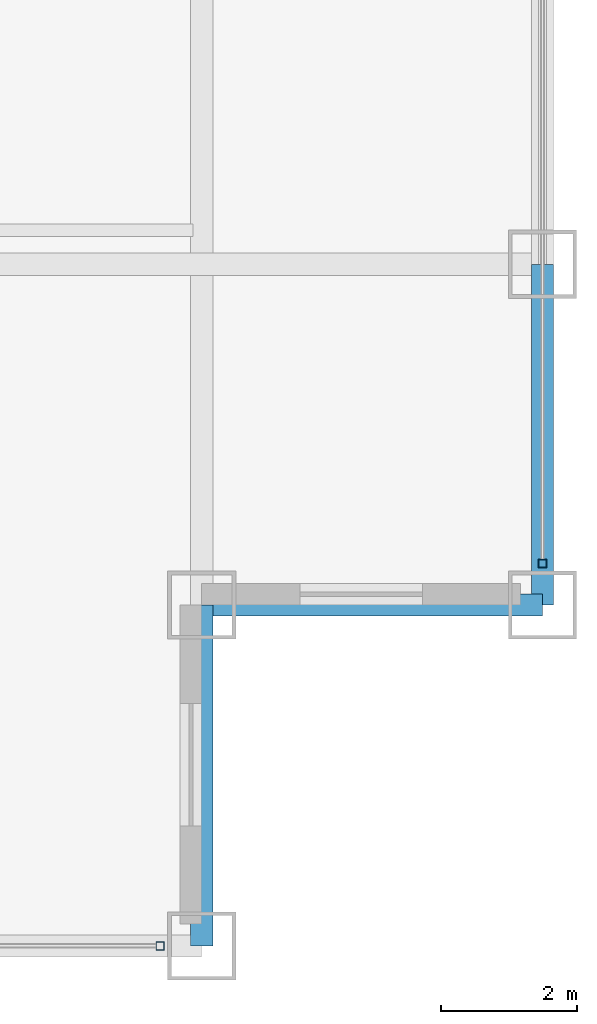
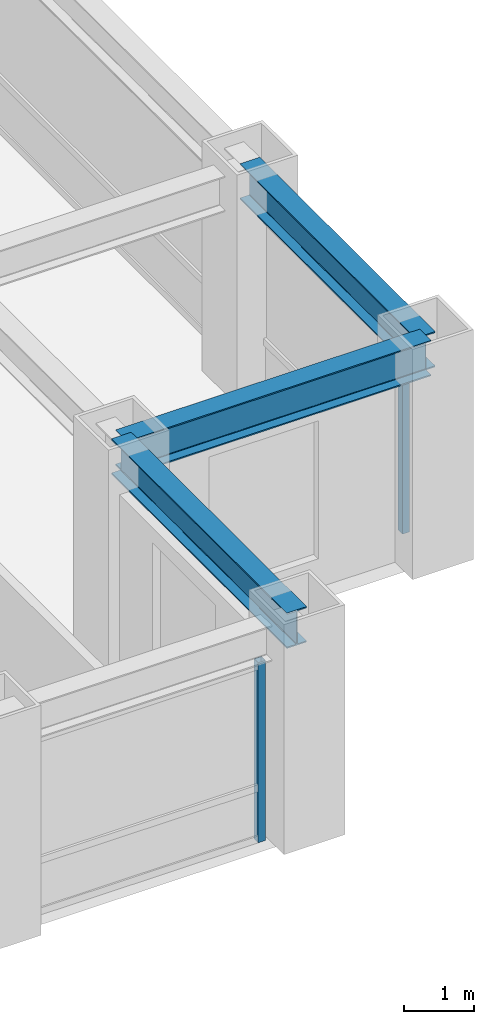
# One storey, part 8 of 25: 3 beams, 2 members, 2 elements without a shape of their own.
"""IFC4 building model written with IfcOpenShell, lengths in metres."""

from ifc_helpers import new_model, si_unit, direction, frame, origin, origin_2d, place, context, subcontext, project, spatial, hollow_rectangle, i_section, extrude, source, transform, mapped, material, material_profile, profile_set, type_object, element, aggregate, save


model = new_model("IFC4")

# Units and contexts
model_context = context("Model", 3, precision=1e-05, world=origin(), true_north=direction((0.0, 1.0)))
body_context = subcontext(model_context, "Body", "Model", "MODEL_VIEW")
ifc_project = project(units=[si_unit("LENGTHUNIT", "METRE"), si_unit("AREAUNIT", "SQUARE_METRE"), si_unit("VOLUMEUNIT", "CUBIC_METRE"), si_unit("PLANEANGLEUNIT", "RADIAN"), si_unit("MASSUNIT", "GRAM", prefix="KILO")], contexts=[model_context])

# Site, building, storey
site_placement = place(None, origin())
site = spatial("IfcSite", under=ifc_project, at=site_placement, CompositionType="ELEMENT")
building_placement = place(site_placement, origin())
building = spatial("IfcBuilding", under=site, at=building_placement, Name="Khorayat Bourse Tower", CompositionType="ELEMENT")
storey_placement = place(building_placement, frame((0.0, 0.0, 223.10009765625)))
storey = spatial("IfcBuildingStorey", under=building, at=storey_placement, Name="L52", CompositionType="ELEMENT", Elevation=223.10009765625)

# Beams
ifc_material_1 = material(Name="Steel ASTM A992 Grade 50", Category="steel")
ifc_material_profile_1 = material_profile(ifc_material_1, i_section(OverallWidth=0.324951171875, OverallDepth=0.615966796875, WebThickness=0.013916015625, FlangeThickness=0.021484375, FilletRadius=0.01611328125, at=origin_2d()), Name="W610X174")
ifc_profile_set_1 = profile_set([ifc_material_profile_1], Name="Steel ASTM A992 Grade 50")
beam_type = type_object("IfcBeamType", Name="BM-SPAN-610", PredefinedType="SPANDREL", material=ifc_profile_set_1)
shared_shape_1 = source(origin(), body_context, "Body", "SweptSolid", [
    extrude(i_section(OverallWidth=0.324951171875, OverallDepth=0.615966796875, WebThickness=0.013916015625, FlangeThickness=0.021484375, FilletRadius=0.01611328125, at=origin_2d()), origin(), (0.0, 0.0, 1.0), 5.0),
])
for number, where, z_axis, x_axis, name in (
    (1, (25.0, -30.0, 3.471923828125), (0.0, 1.0, 0.0), (-1.0, 0.0, 0.0), "L52 BM-SPAN-610 BM-L52-SPN-032"),
    (2, (25.0, -25.0, 3.471923828125), (1.0, 0.0, 0.0), (0.0, 1.0, 0.0), "L52 BM-SPAN-610 BM-L52-SPN-033"),
    (3, (30.0, -25.0, 3.471923828125), (0.0, 1.0, 0.0), (-1.0, 0.0, 0.0), "L52 BM-SPAN-610 BM-L52-SPN-034"),
):
    element("IfcBeam", number, at=place(storey_placement, frame(where, z_axis=z_axis, x_axis=x_axis)), inside=storey, type_object=beam_type, Name=name, PredefinedType="SPANDREL", context=body_context, shape_type="MappedRepresentation", body=[
        mapped(shared_shape_1, transform((0.0, 0.0, 0.0), scale=1.0)),
    ])

# Curtain wall, member
ifc_material_2 = material(Name="Aluminium EN AW-6063 T6", Category="aluminium")
curtain_wall_type = type_object("IfcCurtainWallType", Name="CW-SYS-03", PredefinedType="NOTDEFINED", material=ifc_material_2)
curtain_wall_1_placement = place(storey_placement, origin())
curtain_wall_1 = element("IfcCurtainWall", 4, at=curtain_wall_1_placement, inside=storey, type_object=curtain_wall_type, Name="L52 Curtain Wall CW-L52-S1", PredefinedType="NOTDEFINED")
ifc_material_profile_2 = material_profile(ifc_material_2, hollow_rectangle(XDim=0.1201171875, YDim=0.1201171875, WallThickness=0.0048828125, at=origin_2d()), Name="ALU 120x120x5")
ifc_profile_set_2 = profile_set([ifc_material_profile_2], Name="Aluminium EN AW-6063 T6")
member_type = type_object("IfcMemberType", Name="CWM-VERT-120", PredefinedType="MULLION", material=ifc_profile_set_2)
shared_shape_2 = source(origin(), body_context, "Body", "SweptSolid", [
    extrude(hollow_rectangle(XDim=0.1201171875, YDim=0.1201171875, WallThickness=0.0048828125, at=origin_2d()), origin(), (0.0, 0.0, 1.0), 3.1298828125),
])
member_1_placement = place(storey_placement, frame((24.389892578125, -30.0, 0.0), z_axis=(0.0, 0.0, 1.0), x_axis=(0.0, 1.0, 0.0)))
member_1 = element("IfcMember", 5, at=member_1_placement, type_object=member_type, Name="CW-L52-S1 Vertical Mullion 3", PredefinedType="MULLION", context=body_context, shape_type="MappedRepresentation", body=[
    mapped(shared_shape_2, transform((0.0, 0.0, 0.0), scale=1.0)),
])
aggregate(curtain_wall_1, [member_1])

curtain_wall_2_placement = place(storey_placement, origin())
curtain_wall_2 = element("IfcCurtainWall", 6, at=curtain_wall_2_placement, inside=storey, type_object=curtain_wall_type, Name="L52 Curtain Wall CW-L52-E1", PredefinedType="NOTDEFINED")
member_2_placement = place(storey_placement, frame((30.0, -24.389892578125, 0.0), z_axis=(0.0, 0.0, 1.0), x_axis=(-1.0, 0.0, 0.0)))
member_2 = element("IfcMember", 7, at=member_2_placement, type_object=member_type, Name="CW-L52-E1 Vertical Mullion 1", PredefinedType="MULLION", context=body_context, shape_type="MappedRepresentation", body=[
    mapped(shared_shape_2, transform((0.0, 0.0, 0.0), scale=1.0)),
])
aggregate(curtain_wall_2, [member_2])

save(model, "model.ifc")
